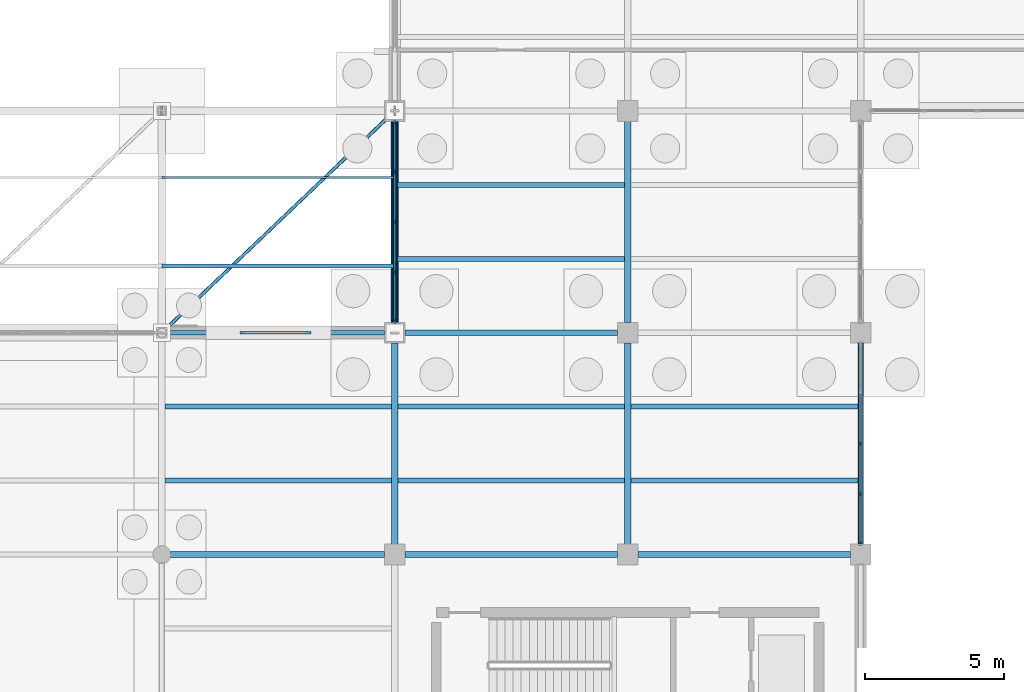
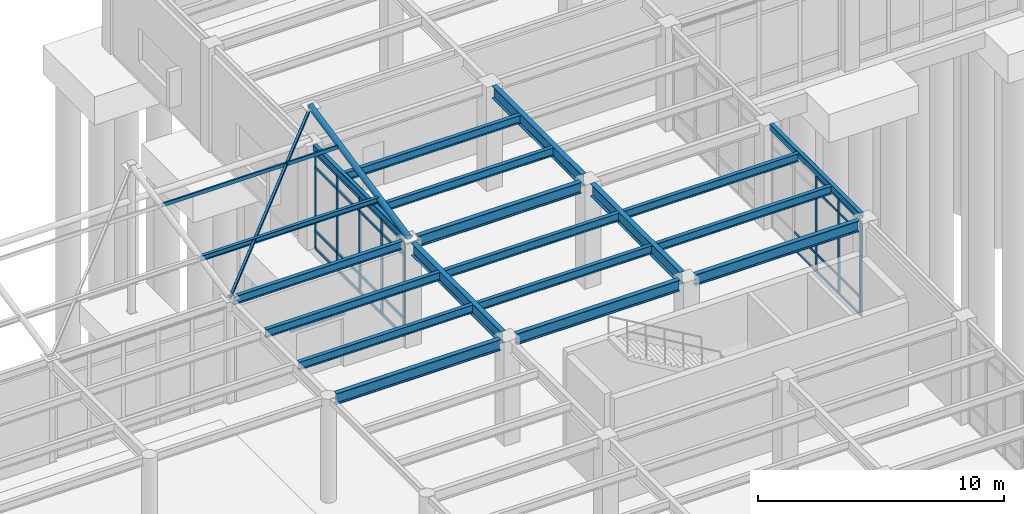
# One storey, part 48 of 138: 38 members, 19 beams, 2 elements without a shape of their own.
"""IFC4 building model written with IfcOpenShell, lengths in metres."""

from ifc_helpers import new_model, si_unit, direction, frame, origin, origin_2d, place, context, subcontext, project, spatial, rectangle, hollow_rectangle, hollow_circle, i_section, u_section, extrude, material, layer, layer_set, material_profile, profile_set, type_object, element, aggregate, save


model = new_model("IFC4")

# Units and contexts
model_context = context("Model", 3, precision=1e-05, world=origin(), true_north=direction((0.0, 1.0)))
body_context = subcontext(model_context, "Body", "Model", "MODEL_VIEW")
ifc_project = project(units=[si_unit("LENGTHUNIT", "METRE"), si_unit("AREAUNIT", "SQUARE_METRE"), si_unit("VOLUMEUNIT", "CUBIC_METRE"), si_unit("PLANEANGLEUNIT", "RADIAN"), si_unit("MASSUNIT", "GRAM", prefix="KILO")], contexts=[model_context])

# Site, building, storey
site_placement = place(None, origin())
site = spatial("IfcSite", under=ifc_project, at=site_placement, CompositionType="ELEMENT")
building_placement = place(site_placement, origin())
building = spatial("IfcBuilding", under=site, at=building_placement, Name="Kranzveld Transit Interchange", CompositionType="ELEMENT")
storey_placement = place(building_placement, origin())
storey = spatial("IfcBuildingStorey", under=building, at=storey_placement, Name="L00", CompositionType="ELEMENT", Elevation=0.0)

# Members
ifc_material_1 = material(Name="Steel S355JR", Category="steel")
ifc_material_profile_1 = material_profile(ifc_material_1, hollow_rectangle(XDim=0.1201171875, YDim=0.1201171875, WallThickness=0.00634765625, InnerFilletRadius=0.009521484375, OuterFilletRadius=0.015869140625, at=origin_2d()), Name="SHS 120x120x6.3")
ifc_profile_set_1 = profile_set([ifc_material_profile_1], Name="Steel S355JR")
member_type_1 = type_object("IfcMemberType", Name="Canopy Brace SHS 120x120x6.3 S355JR", PredefinedType="BRACE", material=ifc_profile_set_1)
member_1_placement = place(storey_placement, frame((92.39990234375, 88.0, 5.10009765625), z_axis=(0.716667620564, 0.682528688657, 0.143325192464), x_axis=(-0.689648865971, 0.724143937118, 0.0)))
element("IfcMember", 1, at=member_1_placement, inside=storey, type_object=member_type_1, Name="Forecourt Canopy Plan Brace 12", PredefinedType="BRACE", context=body_context, shape_type="SweptSolid", body=[
    extrude(hollow_rectangle(XDim=0.1201171875, YDim=0.1201171875, WallThickness=0.00634765625, InnerFilletRadius=0.009521484375, OuterFilletRadius=0.015869140625, at=origin_2d()), origin(), (0.0, 0.0, 1.0), 11.72119140625),
])
ifc_material_2 = material(Name="Steel S355JR", Category="steel")
ifc_material_profile_2 = material_profile(ifc_material_2, i_section(OverallWidth=0.146484375, OverallDepth=0.256103515625, WebThickness=0.00634765625, FlangeThickness=0.010986328125, FilletRadius=0.007568359375, at=origin_2d()), Name="UB 254x146x37")
ifc_profile_set_2 = profile_set([ifc_material_profile_2], Name="Steel S355JR")
member_type_2 = type_object("IfcMemberType", Name="Canopy Purlin UB 254x146x37 S355JR", PredefinedType="PURLIN", material=ifc_profile_set_2)
member_2_placement = place(storey_placement, frame((92.39990234375, 90.39990234375, 5.6240234375), z_axis=(1.0, 0.0, 0.0), x_axis=(0.0, 1.0, 0.0)))
element("IfcMember", 2, at=member_2_placement, inside=storey, type_object=member_type_2, Name="Forecourt Canopy Purlin 12.1", PredefinedType="PURLIN", context=body_context, shape_type="SweptSolid", body=[
    extrude(i_section(OverallWidth=0.146484375, OverallDepth=0.256103515625, WebThickness=0.00634765625, FlangeThickness=0.010986328125, FilletRadius=0.007568359375, at=origin_2d()), origin(), (0.0, 0.0, 1.0), 8.400146484375),
])
ifc_material_3 = material(Name="Steel S355JR", Category="steel")
ifc_material_profile_3 = material_profile(ifc_material_3, hollow_circle(Radius=0.136474609375, WallThickness=0.010009765625, at=origin_2d()), Name="CHS 273x10")
ifc_profile_set_3 = profile_set([ifc_material_profile_3], Name="Steel S355JR")
member_type_3 = type_object("IfcMemberType", Name="Canopy Raking Strut CHS 273x10 S355JR", PredefinedType="STRUT", material=ifc_profile_set_3)
member_3_placement = place(storey_placement, frame((100.800048828125, 88.0, 5.139892578125), z_axis=(0.0, 0.978649171378, 0.205537829511), x_axis=(-1.0, 0.0, 0.0)))
element("IfcMember", 3, at=member_3_placement, inside=storey, type_object=member_type_3, Name="Forecourt Canopy Strut 13", PredefinedType="STRUT", context=body_context, shape_type="SweptSolid", body=[
    extrude(hollow_circle(Radius=0.136474609375, WallThickness=0.010009765625, at=origin_2d()), origin(), (0.0, 0.0, 1.0), 8.174560546875),
])

# Curtain wall, members
ifc_material_4 = material(Name="Bronze-anodised thermally broken aluminium", Category="aluminium")
ifc_layer = layer(ifc_material_4, 0.159912109375)
ifc_layer_set = layer_set([ifc_layer], Name="Bronze-anodised thermally broken aluminium")
curtain_wall_type = type_object("IfcCurtainWallType", Name="Bus Boarding Glazed Screen CW-3", PredefinedType="USERDEFINED", material=ifc_layer_set)
curtain_wall_1_placement = place(storey_placement, origin())
curtain_wall_1 = element("IfcCurtainWall", 4, at=curtain_wall_1_placement, inside=storey, type_object=curtain_wall_type, Name="L00 Curtain Wall 13/M-13/N", ObjectType="CURTAIN WALL", PredefinedType="USERDEFINED")
ifc_material_5 = material(Name="Bronze-anodised thermally broken aluminium", Category="aluminium")
ifc_material_profile_4 = material_profile(ifc_material_5, rectangle(XDim=0.06005859375, YDim=0.14990234375, at=origin_2d()), Name="ALU MULLION 60x150")
ifc_profile_set_4 = profile_set([ifc_material_profile_4], Name="Bronze-anodised thermally broken aluminium")
member_type_4 = type_object("IfcMemberType", Name="Curtain Wall Mullion 60x150 Alu", PredefinedType="MULLION", material=ifc_profile_set_4)
member_4_placement = place(storey_placement, frame((100.800048828125, 88.405029296875, 0.0), z_axis=(0.0, 0.0, 1.0), x_axis=(-1.0, 0.0, 0.0)))
member_4 = element("IfcMember", 5, at=member_4_placement, type_object=member_type_4, Name="CW-3 mullion 1", PredefinedType="MULLION", context=body_context, shape_type="SweptSolid", body=[
    extrude(rectangle(XDim=0.06005859375, YDim=0.14990234375, at=origin_2d()), origin(), (0.0, 0.0, 1.0), 4.747314453125),
])
member_5_placement = place(storey_placement, frame((100.800048828125, 90.1875, 0.0), z_axis=(0.0, 0.0, 1.0), x_axis=(-1.0, 0.0, 0.0)))
member_5 = element("IfcMember", 6, at=member_5_placement, type_object=member_type_4, Name="CW-3 mullion 2", PredefinedType="MULLION", context=body_context, shape_type="SweptSolid", body=[
    extrude(rectangle(XDim=0.06005859375, YDim=0.14990234375, at=origin_2d()), origin(), (0.0, 0.0, 1.0), 4.747314453125),
])
member_6_placement = place(storey_placement, frame((100.800048828125, 92.0, 0.0), z_axis=(0.0, 0.0, 1.0), x_axis=(-1.0, 0.0, 0.0)))
member_6 = element("IfcMember", 7, at=member_6_placement, type_object=member_type_4, Name="CW-3 mullion 3", PredefinedType="MULLION", context=body_context, shape_type="SweptSolid", body=[
    extrude(rectangle(XDim=0.06005859375, YDim=0.14990234375, at=origin_2d()), origin(), (0.0, 0.0, 1.0), 4.747314453125),
])
member_7_placement = place(storey_placement, frame((100.800048828125, 93.8125, 0.0), z_axis=(0.0, 0.0, 1.0), x_axis=(-1.0, 0.0, 0.0)))
member_7 = element("IfcMember", 8, at=member_7_placement, type_object=member_type_4, Name="CW-3 mullion 4", PredefinedType="MULLION", context=body_context, shape_type="SweptSolid", body=[
    extrude(rectangle(XDim=0.06005859375, YDim=0.14990234375, at=origin_2d()), origin(), (0.0, 0.0, 1.0), 4.747314453125),
])
member_8_placement = place(storey_placement, frame((100.800048828125, 95.594970703125, 0.0), z_axis=(0.0, 0.0, 1.0), x_axis=(-1.0, 0.0, 0.0)))
member_8 = element("IfcMember", 9, at=member_8_placement, type_object=member_type_4, Name="CW-3 mullion 5", PredefinedType="MULLION", context=body_context, shape_type="SweptSolid", body=[
    extrude(rectangle(XDim=0.06005859375, YDim=0.14990234375, at=origin_2d()), origin(), (0.0, 0.0, 1.0), 4.747314453125),
])

curtain_wall_2_placement = place(storey_placement, origin())
curtain_wall_2 = element("IfcCurtainWall", 10, at=curtain_wall_2_placement, inside=storey, type_object=curtain_wall_type, Name="L00 Curtain Wall 15/L-15/M", ObjectType="CURTAIN WALL", PredefinedType="USERDEFINED")
member_9_placement = place(storey_placement, frame((117.60009765625, 80.405029296875, 0.0), z_axis=(0.0, 0.0, 1.0), x_axis=(-1.0, 0.0, 0.0)))
member_9 = element("IfcMember", 11, at=member_9_placement, type_object=member_type_4, Name="CW-3 mullion 1", PredefinedType="MULLION", context=body_context, shape_type="SweptSolid", body=[
    extrude(rectangle(XDim=0.06005859375, YDim=0.14990234375, at=origin_2d()), origin(), (0.0, 0.0, 1.0), 4.747314453125),
])
member_10_placement = place(storey_placement, frame((117.60009765625, 82.1875, 0.0), z_axis=(0.0, 0.0, 1.0), x_axis=(-1.0, 0.0, 0.0)))
member_10 = element("IfcMember", 12, at=member_10_placement, type_object=member_type_4, Name="CW-3 mullion 2", PredefinedType="MULLION", context=body_context, shape_type="SweptSolid", body=[
    extrude(rectangle(XDim=0.06005859375, YDim=0.14990234375, at=origin_2d()), origin(), (0.0, 0.0, 1.0), 4.747314453125),
])
member_11_placement = place(storey_placement, frame((117.60009765625, 84.0, 0.0), z_axis=(0.0, 0.0, 1.0), x_axis=(-1.0, 0.0, 0.0)))
member_11 = element("IfcMember", 13, at=member_11_placement, type_object=member_type_4, Name="CW-3 mullion 3", PredefinedType="MULLION", context=body_context, shape_type="SweptSolid", body=[
    extrude(rectangle(XDim=0.06005859375, YDim=0.14990234375, at=origin_2d()), origin(), (0.0, 0.0, 1.0), 4.747314453125),
])
ifc_material_6 = material(Name="Bronze-anodised thermally broken aluminium", Category="aluminium")
ifc_material_profile_5 = material_profile(ifc_material_6, rectangle(XDim=0.06005859375, YDim=0.110107421875, at=origin_2d()), Name="ALU TRANSOM 60x110")
ifc_profile_set_5 = profile_set([ifc_material_profile_5], Name="Bronze-anodised thermally broken aluminium")
member_type_5 = type_object("IfcMemberType", Name="Curtain Wall Transom 60x110 Alu", PredefinedType="USERDEFINED", material=ifc_profile_set_5)
member_12_placement = place(storey_placement, frame((117.60009765625, 80.43505859375, 0.030029296875), z_axis=(0.0, 1.0, 0.0), x_axis=(-1.0, 0.0, 0.0)))
member_12 = element("IfcMember", 14, at=member_12_placement, type_object=member_type_5, Name="CW-3 transom 1.1", ObjectType="TRANSOM", PredefinedType="USERDEFINED", context=body_context, shape_type="SweptSolid", body=[
    extrude(rectangle(XDim=0.06005859375, YDim=0.110107421875, at=origin_2d()), origin(), (0.0, 0.0, 1.0), 1.722412109375),
])
member_13_placement = place(storey_placement, frame((117.60009765625, 80.43505859375, 0.89990234375), z_axis=(0.0, 1.0, 0.0), x_axis=(-1.0, 0.0, 0.0)))
member_13 = element("IfcMember", 15, at=member_13_placement, type_object=member_type_5, Name="CW-3 transom 1.2", ObjectType="TRANSOM", PredefinedType="USERDEFINED", context=body_context, shape_type="SweptSolid", body=[
    extrude(rectangle(XDim=0.06005859375, YDim=0.110107421875, at=origin_2d()), origin(), (0.0, 0.0, 1.0), 1.722412109375),
])
member_14_placement = place(storey_placement, frame((117.60009765625, 80.43505859375, 4.04736328125), z_axis=(0.0, 1.0, 0.0), x_axis=(-1.0, 0.0, 0.0)))
member_14 = element("IfcMember", 16, at=member_14_placement, type_object=member_type_5, Name="CW-3 transom 1.3", ObjectType="TRANSOM", PredefinedType="USERDEFINED", context=body_context, shape_type="SweptSolid", body=[
    extrude(rectangle(XDim=0.06005859375, YDim=0.110107421875, at=origin_2d()), origin(), (0.0, 0.0, 1.0), 1.722412109375),
])
member_15_placement = place(storey_placement, frame((117.60009765625, 80.43505859375, 4.71728515625), z_axis=(0.0, 1.0, 0.0), x_axis=(-1.0, 0.0, 0.0)))
member_15 = element("IfcMember", 17, at=member_15_placement, type_object=member_type_5, Name="CW-3 transom 1.4", ObjectType="TRANSOM", PredefinedType="USERDEFINED", context=body_context, shape_type="SweptSolid", body=[
    extrude(rectangle(XDim=0.06005859375, YDim=0.110107421875, at=origin_2d()), origin(), (0.0, 0.0, 1.0), 1.722412109375),
])
member_16_placement = place(storey_placement, frame((117.60009765625, 82.217529296875, 0.030029296875), z_axis=(0.0, 1.0, 0.0), x_axis=(-1.0, 0.0, 0.0)))
member_16 = element("IfcMember", 18, at=member_16_placement, type_object=member_type_5, Name="CW-3 transom 2.1", ObjectType="TRANSOM", PredefinedType="USERDEFINED", context=body_context, shape_type="SweptSolid", body=[
    extrude(rectangle(XDim=0.06005859375, YDim=0.110107421875, at=origin_2d()), origin(), (0.0, 0.0, 1.0), 1.75244140625),
])
member_17_placement = place(storey_placement, frame((117.60009765625, 82.217529296875, 0.89990234375), z_axis=(0.0, 1.0, 0.0), x_axis=(-1.0, 0.0, 0.0)))
member_17 = element("IfcMember", 19, at=member_17_placement, type_object=member_type_5, Name="CW-3 transom 2.2", ObjectType="TRANSOM", PredefinedType="USERDEFINED", context=body_context, shape_type="SweptSolid", body=[
    extrude(rectangle(XDim=0.06005859375, YDim=0.110107421875, at=origin_2d()), origin(), (0.0, 0.0, 1.0), 1.75244140625),
])
member_18_placement = place(storey_placement, frame((117.60009765625, 82.217529296875, 4.04736328125), z_axis=(0.0, 1.0, 0.0), x_axis=(-1.0, 0.0, 0.0)))
member_18 = element("IfcMember", 20, at=member_18_placement, type_object=member_type_5, Name="CW-3 transom 2.3", ObjectType="TRANSOM", PredefinedType="USERDEFINED", context=body_context, shape_type="SweptSolid", body=[
    extrude(rectangle(XDim=0.06005859375, YDim=0.110107421875, at=origin_2d()), origin(), (0.0, 0.0, 1.0), 1.75244140625),
])
member_19_placement = place(storey_placement, frame((117.60009765625, 82.217529296875, 4.71728515625), z_axis=(0.0, 1.0, 0.0), x_axis=(-1.0, 0.0, 0.0)))
member_19 = element("IfcMember", 21, at=member_19_placement, type_object=member_type_5, Name="CW-3 transom 2.4", ObjectType="TRANSOM", PredefinedType="USERDEFINED", context=body_context, shape_type="SweptSolid", body=[
    extrude(rectangle(XDim=0.06005859375, YDim=0.110107421875, at=origin_2d()), origin(), (0.0, 0.0, 1.0), 1.75244140625),
])
member_20_placement = place(storey_placement, frame((117.60009765625, 84.030029296875, 0.030029296875), z_axis=(0.0, 1.0, 0.0), x_axis=(-1.0, 0.0, 0.0)))
member_20 = element("IfcMember", 22, at=member_20_placement, type_object=member_type_5, Name="CW-3 transom 3.1", ObjectType="TRANSOM", PredefinedType="USERDEFINED", context=body_context, shape_type="SweptSolid", body=[
    extrude(rectangle(XDim=0.06005859375, YDim=0.110107421875, at=origin_2d()), origin(), (0.0, 0.0, 1.0), 1.75244140625),
])
member_21_placement = place(storey_placement, frame((117.60009765625, 84.030029296875, 0.89990234375), z_axis=(0.0, 1.0, 0.0), x_axis=(-1.0, 0.0, 0.0)))
member_21 = element("IfcMember", 23, at=member_21_placement, type_object=member_type_5, Name="CW-3 transom 3.2", ObjectType="TRANSOM", PredefinedType="USERDEFINED", context=body_context, shape_type="SweptSolid", body=[
    extrude(rectangle(XDim=0.06005859375, YDim=0.110107421875, at=origin_2d()), origin(), (0.0, 0.0, 1.0), 1.75244140625),
])
aggregate(curtain_wall_2, [member_9, member_10, member_11, member_12, member_13, member_14, member_15, member_16, member_17, member_18, member_19, member_20, member_21])

# Member
ifc_material_7 = material(Name="Bronze-anodised thermally broken aluminium", Category="aluminium")
ifc_material_profile_6 = material_profile(ifc_material_7, rectangle(XDim=0.06494140625, YDim=0.139892578125, at=origin_2d()), Name="ALU TRANSOM 65x140")
ifc_profile_set_6 = profile_set([ifc_material_profile_6], Name="Bronze-anodised thermally broken aluminium")
member_type_6 = type_object("IfcMemberType", Name="Curtain Wall Transom 65x140 Alu", PredefinedType="USERDEFINED", material=ifc_profile_set_6)
member_22_placement = place(storey_placement, frame((100.800048828125, 88.43505859375, 0.032470703125), z_axis=(0.0, 1.0, 0.0), x_axis=(-1.0, 0.0, 0.0)))
member_22 = element("IfcMember", 24, at=member_22_placement, type_object=member_type_6, Name="CW-3 transom 1.1", ObjectType="TRANSOM", PredefinedType="USERDEFINED", context=body_context, shape_type="SweptSolid", body=[
    extrude(rectangle(XDim=0.06494140625, YDim=0.139892578125, at=origin_2d()), origin(), (0.0, 0.0, 1.0), 1.722412109375),
])

member_23_placement = place(storey_placement, frame((100.800048828125, 88.43505859375, 0.89990234375), z_axis=(0.0, 1.0, 0.0), x_axis=(-1.0, 0.0, 0.0)))
member_23 = element("IfcMember", 25, at=member_23_placement, type_object=member_type_6, Name="CW-3 transom 1.2", ObjectType="TRANSOM", PredefinedType="USERDEFINED", context=body_context, shape_type="SweptSolid", body=[
    extrude(rectangle(XDim=0.06494140625, YDim=0.139892578125, at=origin_2d()), origin(), (0.0, 0.0, 1.0), 1.722412109375),
])

member_24_placement = place(storey_placement, frame((100.800048828125, 88.43505859375, 4.04736328125), z_axis=(0.0, 1.0, 0.0), x_axis=(-1.0, 0.0, 0.0)))
member_24 = element("IfcMember", 26, at=member_24_placement, type_object=member_type_6, Name="CW-3 transom 1.3", ObjectType="TRANSOM", PredefinedType="USERDEFINED", context=body_context, shape_type="SweptSolid", body=[
    extrude(rectangle(XDim=0.06494140625, YDim=0.139892578125, at=origin_2d()), origin(), (0.0, 0.0, 1.0), 1.722412109375),
])

member_25_placement = place(storey_placement, frame((100.800048828125, 88.43505859375, 4.71484375), z_axis=(0.0, 1.0, 0.0), x_axis=(-1.0, 0.0, 0.0)))
member_25 = element("IfcMember", 27, at=member_25_placement, type_object=member_type_6, Name="CW-3 transom 1.4", ObjectType="TRANSOM", PredefinedType="USERDEFINED", context=body_context, shape_type="SweptSolid", body=[
    extrude(rectangle(XDim=0.06494140625, YDim=0.139892578125, at=origin_2d()), origin(), (0.0, 0.0, 1.0), 1.722412109375),
])

member_26_placement = place(storey_placement, frame((100.800048828125, 90.217529296875, 0.032470703125), z_axis=(0.0, 1.0, 0.0), x_axis=(-1.0, 0.0, 0.0)))
member_26 = element("IfcMember", 28, at=member_26_placement, type_object=member_type_6, Name="CW-3 transom 2.1", ObjectType="TRANSOM", PredefinedType="USERDEFINED", context=body_context, shape_type="SweptSolid", body=[
    extrude(rectangle(XDim=0.06494140625, YDim=0.139892578125, at=origin_2d()), origin(), (0.0, 0.0, 1.0), 1.75244140625),
])

member_27_placement = place(storey_placement, frame((100.800048828125, 90.217529296875, 0.89990234375), z_axis=(0.0, 1.0, 0.0), x_axis=(-1.0, 0.0, 0.0)))
member_27 = element("IfcMember", 29, at=member_27_placement, type_object=member_type_6, Name="CW-3 transom 2.2", ObjectType="TRANSOM", PredefinedType="USERDEFINED", context=body_context, shape_type="SweptSolid", body=[
    extrude(rectangle(XDim=0.06494140625, YDim=0.139892578125, at=origin_2d()), origin(), (0.0, 0.0, 1.0), 1.75244140625),
])

member_28_placement = place(storey_placement, frame((100.800048828125, 90.217529296875, 4.04736328125), z_axis=(0.0, 1.0, 0.0), x_axis=(-1.0, 0.0, 0.0)))
member_28 = element("IfcMember", 30, at=member_28_placement, type_object=member_type_6, Name="CW-3 transom 2.3", ObjectType="TRANSOM", PredefinedType="USERDEFINED", context=body_context, shape_type="SweptSolid", body=[
    extrude(rectangle(XDim=0.06494140625, YDim=0.139892578125, at=origin_2d()), origin(), (0.0, 0.0, 1.0), 1.75244140625),
])

member_29_placement = place(storey_placement, frame((100.800048828125, 90.217529296875, 4.71484375), z_axis=(0.0, 1.0, 0.0), x_axis=(-1.0, 0.0, 0.0)))
member_29 = element("IfcMember", 31, at=member_29_placement, type_object=member_type_6, Name="CW-3 transom 2.4", ObjectType="TRANSOM", PredefinedType="USERDEFINED", context=body_context, shape_type="SweptSolid", body=[
    extrude(rectangle(XDim=0.06494140625, YDim=0.139892578125, at=origin_2d()), origin(), (0.0, 0.0, 1.0), 1.75244140625),
])

member_30_placement = place(storey_placement, frame((100.800048828125, 92.030029296875, 0.032470703125), z_axis=(0.0, 1.0, 0.0), x_axis=(-1.0, 0.0, 0.0)))
member_30 = element("IfcMember", 32, at=member_30_placement, type_object=member_type_6, Name="CW-3 transom 3.1", ObjectType="TRANSOM", PredefinedType="USERDEFINED", context=body_context, shape_type="SweptSolid", body=[
    extrude(rectangle(XDim=0.06494140625, YDim=0.139892578125, at=origin_2d()), origin(), (0.0, 0.0, 1.0), 1.75244140625),
])

member_31_placement = place(storey_placement, frame((100.800048828125, 92.030029296875, 0.89990234375), z_axis=(0.0, 1.0, 0.0), x_axis=(-1.0, 0.0, 0.0)))
member_31 = element("IfcMember", 33, at=member_31_placement, type_object=member_type_6, Name="CW-3 transom 3.2", ObjectType="TRANSOM", PredefinedType="USERDEFINED", context=body_context, shape_type="SweptSolid", body=[
    extrude(rectangle(XDim=0.06494140625, YDim=0.139892578125, at=origin_2d()), origin(), (0.0, 0.0, 1.0), 1.75244140625),
])

member_32_placement = place(storey_placement, frame((100.800048828125, 92.030029296875, 4.04736328125), z_axis=(0.0, 1.0, 0.0), x_axis=(-1.0, 0.0, 0.0)))
member_32 = element("IfcMember", 34, at=member_32_placement, type_object=member_type_6, Name="CW-3 transom 3.3", ObjectType="TRANSOM", PredefinedType="USERDEFINED", context=body_context, shape_type="SweptSolid", body=[
    extrude(rectangle(XDim=0.06494140625, YDim=0.139892578125, at=origin_2d()), origin(), (0.0, 0.0, 1.0), 1.75244140625),
])

member_33_placement = place(storey_placement, frame((100.800048828125, 92.030029296875, 4.71484375), z_axis=(0.0, 1.0, 0.0), x_axis=(-1.0, 0.0, 0.0)))
member_33 = element("IfcMember", 35, at=member_33_placement, type_object=member_type_6, Name="CW-3 transom 3.4", ObjectType="TRANSOM", PredefinedType="USERDEFINED", context=body_context, shape_type="SweptSolid", body=[
    extrude(rectangle(XDim=0.06494140625, YDim=0.139892578125, at=origin_2d()), origin(), (0.0, 0.0, 1.0), 1.75244140625),
])

member_34_placement = place(storey_placement, frame((100.800048828125, 93.842529296875, 0.032470703125), z_axis=(0.0, 1.0, 0.0), x_axis=(-1.0, 0.0, 0.0)))
member_34 = element("IfcMember", 36, at=member_34_placement, type_object=member_type_6, Name="CW-3 transom 4.1", ObjectType="TRANSOM", PredefinedType="USERDEFINED", context=body_context, shape_type="SweptSolid", body=[
    extrude(rectangle(XDim=0.06494140625, YDim=0.139892578125, at=origin_2d()), origin(), (0.0, 0.0, 1.0), 1.722412109375),
])

member_35_placement = place(storey_placement, frame((100.800048828125, 93.842529296875, 0.89990234375), z_axis=(0.0, 1.0, 0.0), x_axis=(-1.0, 0.0, 0.0)))
member_35 = element("IfcMember", 37, at=member_35_placement, type_object=member_type_6, Name="CW-3 transom 4.2", ObjectType="TRANSOM", PredefinedType="USERDEFINED", context=body_context, shape_type="SweptSolid", body=[
    extrude(rectangle(XDim=0.06494140625, YDim=0.139892578125, at=origin_2d()), origin(), (0.0, 0.0, 1.0), 1.722412109375),
])

member_36_placement = place(storey_placement, frame((100.800048828125, 93.842529296875, 4.04736328125), z_axis=(0.0, 1.0, 0.0), x_axis=(-1.0, 0.0, 0.0)))
member_36 = element("IfcMember", 38, at=member_36_placement, type_object=member_type_6, Name="CW-3 transom 4.3", ObjectType="TRANSOM", PredefinedType="USERDEFINED", context=body_context, shape_type="SweptSolid", body=[
    extrude(rectangle(XDim=0.06494140625, YDim=0.139892578125, at=origin_2d()), origin(), (0.0, 0.0, 1.0), 1.722412109375),
])

member_37_placement = place(storey_placement, frame((100.800048828125, 93.842529296875, 4.71484375), z_axis=(0.0, 1.0, 0.0), x_axis=(-1.0, 0.0, 0.0)))
member_37 = element("IfcMember", 39, at=member_37_placement, type_object=member_type_6, Name="CW-3 transom 4.4", ObjectType="TRANSOM", PredefinedType="USERDEFINED", context=body_context, shape_type="SweptSolid", body=[
    extrude(rectangle(XDim=0.06494140625, YDim=0.139892578125, at=origin_2d()), origin(), (0.0, 0.0, 1.0), 1.722412109375),
])

aggregate(curtain_wall_1, [member_4, member_5, member_6, member_7, member_8, member_22, member_23, member_24, member_25, member_26, member_27, member_28, member_29, member_30, member_31, member_32, member_33, member_34, member_35, member_36, member_37])

ifc_material_8 = material(Name="Steel S355JR", Category="steel")
ifc_material_profile_7 = material_profile(ifc_material_8, u_section(Depth=0.179931640625, FlangeWidth=0.070068359375, WebThickness=0.007080078125, FlangeThickness=0.010986328125, FilletRadius=0.010009765625, at=origin_2d()), Name="PFC 180x70x22")
ifc_profile_set_7 = profile_set([ifc_material_profile_7], Name="Steel S355JR")
member_type_7 = type_object("IfcMemberType", Name="Eaves Purlin PFC 180x70x22 S355JR", PredefinedType="PURLIN", material=ifc_profile_set_7)
member_38_placement = place(storey_placement, frame((92.39990234375, 93.60009765625, 6.2958984375), z_axis=(1.0, 0.0, 0.0), x_axis=(0.0, 1.0, 0.0)))
element("IfcMember", 40, at=member_38_placement, inside=storey, type_object=member_type_7, Name="Forecourt Canopy Purlin 12.2", PredefinedType="PURLIN", context=body_context, shape_type="SweptSolid", body=[
    extrude(u_section(Depth=0.179931640625, FlangeWidth=0.070068359375, WebThickness=0.007080078125, FlangeThickness=0.010986328125, FilletRadius=0.010009765625, at=origin_2d()), origin(), (0.0, 0.0, 1.0), 8.400146484375),
])

# Beams
ifc_material_9 = material(Name="Steel S355JR", Category="steel")
ifc_material_profile_8 = material_profile(ifc_material_9, hollow_rectangle(XDim=0.199951171875, YDim=0.300048828125, WallThickness=0.010009765625, InnerFilletRadius=0.014892578125, OuterFilletRadius=0.02490234375, at=origin_2d()), Name="RHS 300x200x10")
ifc_profile_set_8 = profile_set([ifc_material_profile_8], Name="Steel S355JR")
beam_type_1 = type_object("IfcBeamType", Name="Edge Spandrel RHS 300x200x10 S355JR", PredefinedType="SPANDREL", material=ifc_profile_set_8)
for number, where, z_axis, x_axis, name in (
    (41, (100.800048828125, 88.364990234375, 5.0), (0.0, 1.0, 0.0), (-1.0, 0.0, 0.0), "L00 Girder 13/M-N"),
    (42, (117.60009765625, 80.364990234375, 5.0), (0.0, 1.0, 0.0), (-1.0, 0.0, 0.0), "L00 Girder 15/L-M"),
):
    element("IfcBeam", number, at=place(storey_placement, frame(where, z_axis=z_axis, x_axis=x_axis)), inside=storey, type_object=beam_type_1, Name=name, PredefinedType="SPANDREL", context=body_context, shape_type="SweptSolid", body=[
        extrude(hollow_rectangle(XDim=0.199951171875, YDim=0.300048828125, WallThickness=0.010009765625, InnerFilletRadius=0.014892578125, OuterFilletRadius=0.02490234375, at=origin_2d()), origin(), (0.0, 0.0, 1.0), 7.27001953125),
    ])
ifc_material_10 = material(Name="Steel S355JR", Category="steel")
ifc_material_profile_9 = material_profile(ifc_material_10, i_section(OverallWidth=0.1787109375, OverallDepth=0.409423828125, WebThickness=0.0087890625, FlangeThickness=0.014404296875, FilletRadius=0.01025390625, at=origin_2d()), Name="UB 406x178x67")
ifc_profile_set_9 = profile_set([ifc_material_profile_9], Name="Steel S355JR")
beam_type_2 = type_object("IfcBeamType", Name="Facade Spandrel UB 406x178x67 S355JR", PredefinedType="SPANDREL", material=ifc_profile_set_9)
beam_1_placement = place(storey_placement, frame((92.56787109375, 88.0, 4.9453125), z_axis=(1.0, 0.0, 0.0), x_axis=(0.0, 1.0, 0.0)))
element("IfcBeam", 43, at=beam_1_placement, inside=storey, type_object=beam_type_2, Name="L00 Girder 12-13/M", PredefinedType="SPANDREL", context=body_context, shape_type="SweptSolid", body=[
    extrude(i_section(OverallWidth=0.1787109375, OverallDepth=0.409423828125, WebThickness=0.0087890625, FlangeThickness=0.014404296875, FilletRadius=0.01025390625, at=origin_2d()), origin(), (0.0, 0.0, 1.0), 7.8671875),
])
ifc_material_11 = material(Name="Steel S355JR", Category="steel")
ifc_material_profile_10 = material_profile(ifc_material_11, i_section(OverallWidth=0.177734375, OverallDepth=0.402587890625, WebThickness=0.0078125, FlangeThickness=0.010986328125, FilletRadius=0.01025390625, at=origin_2d()), Name="UB 406x178x54")
ifc_profile_set_10 = profile_set([ifc_material_profile_10], Name="Steel S355JR")
beam_type_3 = type_object("IfcBeamType", Name="Floor Joist UB 406x178x54 S355JR", PredefinedType="JOIST", material=ifc_profile_set_10)
for number, where, z_axis, x_axis, name in (
    (44, (92.51611328125, 82.666748046875, 4.94873046875), (1.0, 0.0, 0.0), (0.0, 1.0, 0.0), "L00 Secondary Joist 12-13/L.1"),
    (45, (92.51611328125, 85.333251953125, 4.94873046875), (1.0, 0.0, 0.0), (0.0, 1.0, 0.0), "L00 Secondary Joist 12-13/L.2"),
):
    element("IfcBeam", number, at=place(storey_placement, frame(where, z_axis=z_axis, x_axis=x_axis)), inside=storey, type_object=beam_type_3, Name=name, PredefinedType="JOIST", context=body_context, shape_type="SweptSolid", body=[
        extrude(i_section(OverallWidth=0.177734375, OverallDepth=0.402587890625, WebThickness=0.0078125, FlangeThickness=0.010986328125, FilletRadius=0.01025390625, at=origin_2d()), origin(), (0.0, 0.0, 1.0), 8.167724609375),
    ])
for number, where, z_axis, x_axis, name in (
    (46, (100.916015625, 82.666748046875, 4.94873046875), (1.0, 0.0, 0.0), (0.0, 1.0, 0.0), "L00 Secondary Joist 13-14/L.1"),
    (47, (100.916015625, 85.333251953125, 4.94873046875), (1.0, 0.0, 0.0), (0.0, 1.0, 0.0), "L00 Secondary Joist 13-14/L.2"),
):
    element("IfcBeam", number, at=place(storey_placement, frame(where, z_axis=z_axis, x_axis=x_axis)), inside=storey, type_object=beam_type_3, Name=name, PredefinedType="JOIST", context=body_context, shape_type="SweptSolid", body=[
        extrude(i_section(OverallWidth=0.177734375, OverallDepth=0.402587890625, WebThickness=0.0078125, FlangeThickness=0.010986328125, FilletRadius=0.01025390625, at=origin_2d()), origin(), (0.0, 0.0, 1.0), 8.16796875),
    ])
for number, where, z_axis, x_axis, name in (
    (48, (100.902099609375, 90.666748046875, 4.94873046875), (1.0, 0.0, 0.0), (0.0, 1.0, 0.0), "L00 Secondary Joist 13-14/M.1"),
    (49, (100.902099609375, 93.333251953125, 4.94873046875), (1.0, 0.0, 0.0), (0.0, 1.0, 0.0), "L00 Secondary Joist 13-14/M.2"),
    (50, (109.316162109375, 82.666748046875, 4.94873046875), (1.0, 0.0, 0.0), (0.0, 1.0, 0.0), "L00 Secondary Joist 14-15/L.1"),
    (51, (109.316162109375, 85.333251953125, 4.94873046875), (1.0, 0.0, 0.0), (0.0, 1.0, 0.0), "L00 Secondary Joist 14-15/L.2"),
):
    element("IfcBeam", number, at=place(storey_placement, frame(where, z_axis=z_axis, x_axis=x_axis)), inside=storey, type_object=beam_type_3, Name=name, PredefinedType="JOIST", context=body_context, shape_type="SweptSolid", body=[
        extrude(i_section(OverallWidth=0.177734375, OverallDepth=0.402587890625, WebThickness=0.0078125, FlangeThickness=0.010986328125, FilletRadius=0.01025390625, at=origin_2d()), origin(), (0.0, 0.0, 1.0), 8.181884765625),
    ])
ifc_material_12 = material(Name="Steel S355JR", Category="steel")
ifc_material_profile_11 = material_profile(ifc_material_12, i_section(OverallWidth=0.2119140625, OverallDepth=0.54443359375, WebThickness=0.0126953125, FlangeThickness=0.021240234375, FilletRadius=0.0126953125, at=origin_2d()), Name="UB 533x210x122")
ifc_profile_set_11 = profile_set([ifc_material_profile_11], Name="Steel S355JR")
beam_type_4 = type_object("IfcBeamType", Name="Girder Steel UB 533x210x122 S355JR", PredefinedType="BEAM", material=ifc_profile_set_11)
beam_2_placement = place(storey_placement, frame((92.715087890625, 80.0, 4.877685546875), z_axis=(1.0, 0.0, 0.0), x_axis=(0.0, 1.0, 0.0)))
element("IfcBeam", 52, at=beam_2_placement, inside=storey, type_object=beam_type_4, Name="L00 Girder 12-13/L", PredefinedType="BEAM", context=body_context, shape_type="SweptSolid", body=[
    extrude(i_section(OverallWidth=0.2119140625, OverallDepth=0.54443359375, WebThickness=0.0126953125, FlangeThickness=0.021240234375, FilletRadius=0.0126953125, at=origin_2d()), origin(), (0.0, 0.0, 1.0), 7.719970703125),
])
beam_3_placement = place(storey_placement, frame((101.1650390625, 80.0, 4.877685546875), z_axis=(1.0, 0.0, 0.0), x_axis=(0.0, 1.0, 0.0)))
element("IfcBeam", 53, at=beam_3_placement, inside=storey, type_object=beam_type_4, Name="L00 Girder 13-14/L", PredefinedType="BEAM", context=body_context, shape_type="SweptSolid", body=[
    extrude(i_section(OverallWidth=0.2119140625, OverallDepth=0.54443359375, WebThickness=0.0126953125, FlangeThickness=0.021240234375, FilletRadius=0.0126953125, at=origin_2d()), origin(), (0.0, 0.0, 1.0), 7.669921875),
])
beam_4_placement = place(storey_placement, frame((109.56494140625, 80.0, 4.877685546875), z_axis=(1.0, 0.0, 0.0), x_axis=(0.0, 1.0, 0.0)))
element("IfcBeam", 54, at=beam_4_placement, inside=storey, type_object=beam_type_4, Name="L00 Girder 14-15/L", PredefinedType="BEAM", context=body_context, shape_type="SweptSolid", body=[
    extrude(i_section(OverallWidth=0.2119140625, OverallDepth=0.54443359375, WebThickness=0.0126953125, FlangeThickness=0.021240234375, FilletRadius=0.0126953125, at=origin_2d()), origin(), (0.0, 0.0, 1.0), 7.670166015625),
])
beam_5_placement = place(storey_placement, frame((101.1650390625, 88.0, 4.877685546875), z_axis=(1.0, 0.0, 0.0), x_axis=(0.0, 1.0, 0.0)))
element("IfcBeam", 55, at=beam_5_placement, inside=storey, type_object=beam_type_4, Name="L00 Girder 13-14/M", PredefinedType="BEAM", context=body_context, shape_type="SweptSolid", body=[
    extrude(i_section(OverallWidth=0.2119140625, OverallDepth=0.54443359375, WebThickness=0.0126953125, FlangeThickness=0.021240234375, FilletRadius=0.0126953125, at=origin_2d()), origin(), (0.0, 0.0, 1.0), 7.669921875),
])
ifc_material_13 = material(Name="Steel S355JR", Category="steel")
ifc_material_profile_12 = material_profile(ifc_material_13, i_section(OverallWidth=0.228271484375, OverallDepth=0.607666015625, WebThickness=0.010986328125, FlangeThickness=0.017333984375, FilletRadius=0.0126953125, at=origin_2d()), Name="UB 610x229x113")
ifc_profile_set_12 = profile_set([ifc_material_profile_12], Name="Steel S355JR")
beam_type_5 = type_object("IfcBeamType", Name="Girder Steel UB 610x229x113 S355JR", PredefinedType="BEAM", material=ifc_profile_set_12)
for number, where, z_axis, x_axis, name in (
    (56, (100.800048828125, 80.364990234375, 4.84619140625), (0.0, 1.0, 0.0), (-1.0, 0.0, 0.0), "L00 Girder 13/L-M"),
    (57, (109.199951171875, 80.364990234375, 4.84619140625), (0.0, 1.0, 0.0), (-1.0, 0.0, 0.0), "L00 Girder 14/L-M"),
    (58, (109.199951171875, 88.364990234375, 4.84619140625), (0.0, 1.0, 0.0), (-1.0, 0.0, 0.0), "L00 Girder 14/M-N"),
):
    element("IfcBeam", number, at=place(storey_placement, frame(where, z_axis=z_axis, x_axis=x_axis)), inside=storey, type_object=beam_type_5, Name=name, PredefinedType="BEAM", context=body_context, shape_type="SweptSolid", body=[
        extrude(i_section(OverallWidth=0.228271484375, OverallDepth=0.607666015625, WebThickness=0.010986328125, FlangeThickness=0.017333984375, FilletRadius=0.0126953125, at=origin_2d()), origin(), (0.0, 0.0, 1.0), 7.27001953125),
    ])
ifc_material_14 = material(Name="Steel S355JR", Category="steel")
ifc_material_profile_13 = material_profile(ifc_material_14, u_section(Depth=0.22998046875, FlangeWidth=0.090087890625, WebThickness=0.007568359375, FlangeThickness=0.013916015625, FilletRadius=0.011962890625, at=origin_2d()), Name="PFC 230x90x32")
ifc_profile_set_13 = profile_set([ifc_material_profile_13], Name="Steel S355JR")
beam_type_6 = type_object("IfcBeamType", Name="Masonry Lintel PFC 230x90x32 S355JR", PredefinedType="LINTEL", material=ifc_profile_set_13)
beam_6_placement = place(storey_placement, frame((95.221435546875, 88.0, 2.52001953125), z_axis=(1.0, 0.0, 0.0), x_axis=(0.0, 1.0, 0.0)))
element("IfcBeam", 59, at=beam_6_placement, inside=storey, type_object=beam_type_6, Name="L00 Entrance Door Lintel 006", PredefinedType="LINTEL", context=body_context, shape_type="SweptSolid", body=[
    extrude(u_section(Depth=0.22998046875, FlangeWidth=0.090087890625, WebThickness=0.007568359375, FlangeThickness=0.013916015625, FilletRadius=0.011962890625, at=origin_2d()), origin(), (0.0, 0.0, 1.0), 2.56005859375),
])

save(model, "model.ifc")
